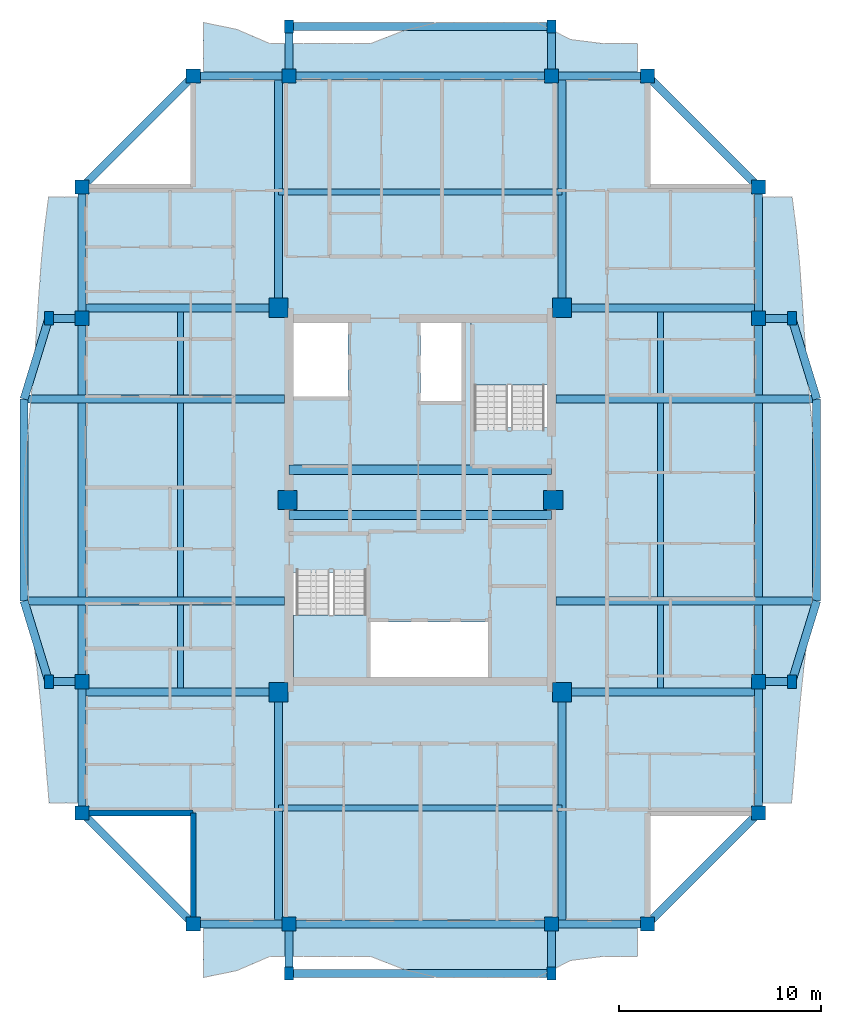
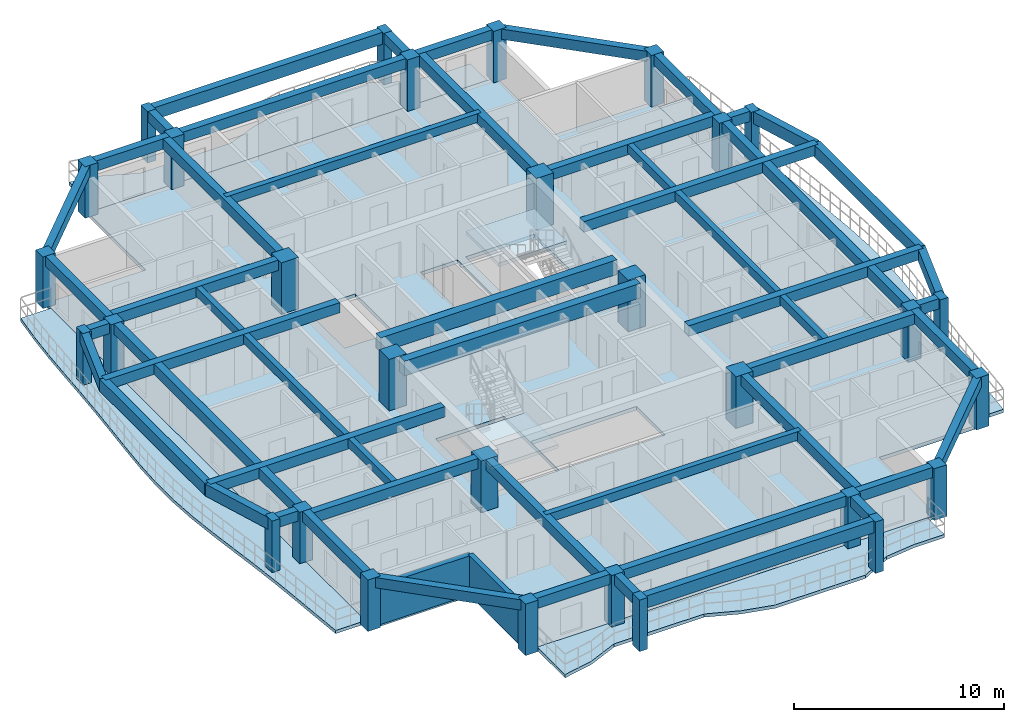
# One storey, part 1 of 14: 50 beams, 30 columns, 7 slabs, 2 walls, 2 elements without a shape of their own.
"""IFC4 building model written with IfcOpenShell, lengths in metres."""

from ifc_helpers import new_model, si_unit, direction, frame, frame_2d, origin, origin_2d, place, context, subcontext, project, spatial, polyline, rectangle, outline, extrude, source, transform, mapped, material, layer, layer_set, material_profile, profile_set, type_object, element, aggregate, save


model = new_model("IFC4")

# Units and contexts
model_context = context("Model", 3, precision=1e-05, world=origin(), true_north=direction((0.0, 1.0)))
body_context = subcontext(model_context, "Body", "Model", "MODEL_VIEW")
ifc_project = project(units=[si_unit("LENGTHUNIT", "METRE"), si_unit("AREAUNIT", "SQUARE_METRE"), si_unit("VOLUMEUNIT", "CUBIC_METRE"), si_unit("PLANEANGLEUNIT", "RADIAN"), si_unit("MASSUNIT", "GRAM", prefix="KILO")], contexts=[model_context])

# Site, building, storey
site_placement = place(None, origin())
site = spatial("IfcSite", under=ifc_project, at=site_placement, CompositionType="ELEMENT")
building_placement = place(site_placement, origin())
building = spatial("IfcBuilding", under=site, at=building_placement, Name="Saelheon Loggia Tower", CompositionType="ELEMENT")
storey_placement = place(building_placement, frame((0.0, 0.0, 230.10009765625)))
storey = spatial("IfcBuildingStorey", under=building, at=storey_placement, Name="L71", CompositionType="ELEMENT", Elevation=230.10009765625)

# Columns
ifc_material_1 = material(Name="Concrete C45/55", Category="concrete")
ifc_material_profile_1 = material_profile(ifc_material_1, rectangle(XDim=0.949951171875, YDim=0.949951171875, at=origin_2d()), Name="RC-950x950")
ifc_profile_set_1 = profile_set([ifc_material_profile_1], Name="Concrete C45/55")
column_type_1 = type_object("IfcColumnType", Name="Col_Core_RC950", PredefinedType="COLUMN", material=ifc_profile_set_1)
shared_shape_1 = source(origin(), body_context, "Body", "SweptSolid", [
    extrude(rectangle(XDim=0.949951171875, YDim=0.949951171875, at=origin_2d()), origin(), (0.0, 0.0, 1.0), 3.0),
])
for number, where, z_axis, x_axis, name in (
    (1, (30.97998046875, 17.47998046875, 0.0), (0.0, 0.0, 1.0), (1.0, 0.0, 0.0), "L71 Core Column CR-SW"),
    (2, (45.02001953125, 17.47998046875, 0.0), (0.0, 0.0, 1.0), (1.0, 0.0, 0.0), "L71 Core Column CR-SE"),
    (3, (30.97998046875, 36.52001953125, 0.0), (0.0, 0.0, 1.0), (1.0, 0.0, 0.0), "L71 Core Column CR-NW"),
    (4, (45.02001953125, 36.52001953125, 0.0), (0.0, 0.0, 1.0), (1.0, 0.0, 0.0), "L71 Core Column CR-NE"),
    (5, (31.419921875, 27.0, 0.0), (0.0, 0.0, 1.0), (1.0, 0.0, 0.0), "L71 Core Column CR-MW"),
    (6, (44.580078125, 27.0, 0.0), (0.0, 0.0, 1.0), (1.0, 0.0, 0.0), "L71 Core Column CR-ME"),
):
    element("IfcColumn", number, at=place(storey_placement, frame(where, z_axis=z_axis, x_axis=x_axis)), inside=storey, type_object=column_type_1, Name=name, PredefinedType="COLUMN", context=body_context, shape_type="MappedRepresentation", body=[
        mapped(shared_shape_1, transform((0.0, 0.0, 0.0), scale=1.0)),
    ])
ifc_material_2 = material(Name="Precast Concrete C45/55", Category="concrete")
ifc_material_profile_2 = material_profile(ifc_material_2, rectangle(XDim=0.449951171875, YDim=0.64990234375, at=origin_2d()), Name="RC-450x650")
ifc_profile_set_2 = profile_set([ifc_material_profile_2], Name="Precast Concrete C45/55")
column_type_2 = type_object("IfcColumnType", Name="Col_Loggia_Pilaster_650", PredefinedType="PILASTER", material=ifc_profile_set_2)
shared_shape_2 = source(origin(), body_context, "Body", "SweptSolid", [
    extrude(rectangle(XDim=0.449951171875, YDim=0.64990234375, at=origin_2d()), origin(), (0.0, 0.0, 1.0), 3.0),
])
for number, where, z_axis, x_axis, name in (
    (7, (31.5, 3.550048828125, 0.0), (0.0, 0.0, 1.0), (1.0, 0.0, 0.0), "L71 Loggia Frame Pilaster LP-S1"),
    (8, (44.5, 3.550048828125, 0.0), (0.0, 0.0, 1.0), (1.0, 0.0, 0.0), "L71 Loggia Frame Pilaster LP-S2"),
    (9, (31.5, 50.449951171875, 0.0), (0.0, 0.0, 1.0), (1.0, 0.0, 0.0), "L71 Loggia Frame Pilaster LP-N1"),
    (10, (44.5, 50.449951171875, 0.0), (0.0, 0.0, 1.0), (1.0, 0.0, 0.0), "L71 Loggia Frame Pilaster LP-N2"),
    (11, (56.39990234375, 18.0, 0.0), (0.0, 0.0, 1.0), (1.0, 0.0, 0.0), "L71 Loggia Frame Pilaster LP-E1"),
    (12, (56.39990234375, 36.0, 0.0), (0.0, 0.0, 1.0), (1.0, 0.0, 0.0), "L71 Loggia Frame Pilaster LP-E2"),
    (13, (19.60009765625, 18.0, 0.0), (0.0, 0.0, 1.0), (1.0, 0.0, 0.0), "L71 Loggia Frame Pilaster LP-W1"),
    (14, (19.60009765625, 36.0, 0.0), (0.0, 0.0, 1.0), (1.0, 0.0, 0.0), "L71 Loggia Frame Pilaster LP-W2"),
):
    element("IfcColumn", number, at=place(storey_placement, frame(where, z_axis=z_axis, x_axis=x_axis)), inside=storey, type_object=column_type_2, Name=name, PredefinedType="PILASTER", context=body_context, shape_type="MappedRepresentation", body=[
        mapped(shared_shape_2, transform((0.0, 0.0, 0.0), scale=1.0)),
    ])
ifc_material_profile_3 = material_profile(ifc_material_1, rectangle(XDim=0.699951171875, YDim=0.699951171875, at=origin_2d()), Name="RC-700x700")
ifc_profile_set_3 = profile_set([ifc_material_profile_3], Name="Concrete C45/55")
column_type_3 = type_object("IfcColumnType", Name="Col_Perim_RC700", PredefinedType="COLUMN", material=ifc_profile_set_3)
shared_shape_3 = source(origin(), body_context, "Body", "SweptSolid", [
    extrude(rectangle(XDim=0.699951171875, YDim=0.699951171875, at=origin_2d()), origin(), (0.0, 0.0, 1.0), 3.0),
])
for number, where, z_axis, x_axis, name in (
    (15, (26.75, 6.0, 0.0), (0.0, 0.0, 1.0), (1.0, 0.0, 0.0), "L71 Perimeter Column TP-S1"),
    (16, (31.5, 6.0, 0.0), (0.0, 0.0, 1.0), (1.0, 0.0, 0.0), "L71 Perimeter Column TP-SA"),
    (17, (44.5, 6.0, 0.0), (0.0, 0.0, 1.0), (1.0, 0.0, 0.0), "L71 Perimeter Column TP-SB"),
    (18, (49.25, 6.0, 0.0), (0.0, 0.0, 1.0), (1.0, 0.0, 0.0), "L71 Perimeter Column TP-S2"),
    (19, (54.75, 11.5, 0.0), (0.0, 0.0, 1.0), (1.0, 0.0, 0.0), "L71 Perimeter Column TP-E1"),
    (20, (54.75, 18.0, 0.0), (0.0, 0.0, 1.0), (1.0, 0.0, 0.0), "L71 Perimeter Column TP-EA"),
    (21, (54.75, 36.0, 0.0), (0.0, 0.0, 1.0), (1.0, 0.0, 0.0), "L71 Perimeter Column TP-EB"),
    (22, (54.75, 42.5, 0.0), (0.0, 0.0, 1.0), (1.0, 0.0, 0.0), "L71 Perimeter Column TP-E2"),
    (23, (49.25, 48.0, 0.0), (0.0, 0.0, 1.0), (1.0, 0.0, 0.0), "L71 Perimeter Column TP-N2"),
    (24, (44.5, 48.0, 0.0), (0.0, 0.0, 1.0), (1.0, 0.0, 0.0), "L71 Perimeter Column TP-NB"),
    (25, (31.5, 48.0, 0.0), (0.0, 0.0, 1.0), (1.0, 0.0, 0.0), "L71 Perimeter Column TP-NA"),
    (26, (26.75, 48.0, 0.0), (0.0, 0.0, 1.0), (1.0, 0.0, 0.0), "L71 Perimeter Column TP-N1"),
    (27, (21.25, 42.5, 0.0), (0.0, 0.0, 1.0), (1.0, 0.0, 0.0), "L71 Perimeter Column TP-W2"),
    (28, (21.25, 36.0, 0.0), (0.0, 0.0, 1.0), (1.0, 0.0, 0.0), "L71 Perimeter Column TP-WB"),
    (29, (21.25, 18.0, 0.0), (0.0, 0.0, 1.0), (1.0, 0.0, 0.0), "L71 Perimeter Column TP-WA"),
    (30, (21.25, 11.5, 0.0), (0.0, 0.0, 1.0), (1.0, 0.0, 0.0), "L71 Perimeter Column TP-W1"),
):
    element("IfcColumn", number, at=place(storey_placement, frame(where, z_axis=z_axis, x_axis=x_axis)), inside=storey, type_object=column_type_3, Name=name, PredefinedType="COLUMN", context=body_context, shape_type="MappedRepresentation", body=[
        mapped(shared_shape_3, transform((0.0, 0.0, 0.0), scale=1.0)),
    ])

# Beams
ifc_material_3 = material(Name="Concrete C50/60", Category="concrete")
ifc_material_profile_4 = material_profile(ifc_material_3, rectangle(XDim=0.449951171875, YDim=0.85009765625, at=origin_2d()), Name="RC-450x850")
ifc_profile_set_4 = profile_set([ifc_material_profile_4], Name="Concrete C50/60")
beam_type_1 = type_object("IfcBeamType", Name="Beam_CoreLintel_RC450x850", PredefinedType="LINTEL", material=ifc_profile_set_4)
shared_shape_4 = source(origin(), body_context, "Body", "SweptSolid", [
    extrude(rectangle(XDim=0.449951171875, YDim=0.85009765625, at=origin_2d()), origin(), (0.0, 0.0, 1.0), 13.0),
])
for number, where, z_axis, x_axis, name in (
    (31, (31.5, 26.25, 2.574951171875), (1.0, 0.0, 0.0), (0.0, 1.0, 0.0), "L71 Core Coupling Lintel 1"),
    (32, (31.5, 28.5, 2.574951171875), (1.0, 0.0, 0.0), (0.0, 1.0, 0.0), "L71 Core Coupling Lintel 2"),
):
    element("IfcBeam", number, at=place(storey_placement, frame(where, z_axis=z_axis, x_axis=x_axis)), inside=storey, type_object=beam_type_1, Name=name, PredefinedType="LINTEL", context=body_context, shape_type="MappedRepresentation", body=[
        mapped(shared_shape_4, transform((0.0, 0.0, 0.0), scale=1.0)),
    ])
ifc_material_profile_5 = material_profile(ifc_material_2, rectangle(XDim=0.39990234375, YDim=0.60009765625, at=origin_2d()), Name="RC-400x600")
ifc_profile_set_5 = profile_set([ifc_material_profile_5], Name="Precast Concrete C45/55")
beam_type_2 = type_object("IfcBeamType", Name="Beam_LoggiaTie_RC400x600", PredefinedType="BEAM", material=ifc_profile_set_5)
shared_shape_5 = source(origin(), body_context, "Body", "SweptSolid", [
    extrude(rectangle(XDim=0.39990234375, YDim=0.60009765625, at=origin_2d()), origin(), (0.0, 0.0, 1.0), 2.449951171875),
])
for number, where, z_axis, x_axis, name in (
    (33, (31.5, 6.0, 2.699951171875), (0.0, -1.0, 0.0), (1.0, 0.0, 0.0), "L71 Loggia Frame Tie Beam LP-S1"),
    (34, (44.5, 6.0, 2.699951171875), (0.0, -1.0, 0.0), (1.0, 0.0, 0.0), "L71 Loggia Frame Tie Beam LP-S2"),
    (35, (31.5, 48.0, 2.699951171875), (0.0, 1.0, 0.0), (-1.0, 0.0, 0.0), "L71 Loggia Frame Tie Beam LP-N1"),
    (36, (44.5, 48.0, 2.699951171875), (0.0, 1.0, 0.0), (-1.0, 0.0, 0.0), "L71 Loggia Frame Tie Beam LP-N2"),
):
    element("IfcBeam", number, at=place(storey_placement, frame(where, z_axis=z_axis, x_axis=x_axis)), inside=storey, type_object=beam_type_2, Name=name, PredefinedType="BEAM", context=body_context, shape_type="MappedRepresentation", body=[
        mapped(shared_shape_5, transform((0.0, 0.0, 0.0), scale=1.0)),
    ])
ifc_material_4 = material(Name="Concrete C40/50", Category="concrete")
ifc_material_profile_6 = material_profile(ifc_material_4, rectangle(XDim=0.300048828125, YDim=0.5, at=origin_2d()), Name="RC-300x500")
ifc_profile_set_6 = profile_set([ifc_material_profile_6], Name="Concrete C40/50")
beam_type_3 = type_object("IfcBeamType", Name="Beam_Joist_RC300x500", PredefinedType="JOIST", material=ifc_profile_set_6)
shared_shape_6 = source(origin(), body_context, "Body", "SweptSolid", [
    extrude(rectangle(XDim=0.300048828125, YDim=0.5, at=origin_2d()), origin(), (0.0, 0.0, 1.0), 14.0400390625),
])
for number, where, z_axis, x_axis, name in (
    (37, (30.97998046875, 11.739990234375, 2.75), (1.0, 0.0, 0.0), (0.0, 1.0, 0.0), "L71 South Floor Joist"),
    (38, (30.97998046875, 42.260009765625, 2.75), (1.0, 0.0, 0.0), (0.0, 1.0, 0.0), "L71 North Floor Joist"),
):
    element("IfcBeam", number, at=place(storey_placement, frame(where, z_axis=z_axis, x_axis=x_axis)), inside=storey, type_object=beam_type_3, Name=name, PredefinedType="JOIST", context=body_context, shape_type="MappedRepresentation", body=[
        mapped(shared_shape_6, transform((0.0, 0.0, 0.0), scale=1.0)),
    ])
shared_shape_7 = source(origin(), body_context, "Body", "SweptSolid", [
    extrude(rectangle(XDim=0.300048828125, YDim=0.5, at=origin_2d()), origin(), (0.0, 0.0, 1.0), 19.0400390625),
])
for number, where, z_axis, x_axis, name in (
    (39, (26.114990234375, 17.47998046875, 2.75), (0.0, 1.0, 0.0), (-1.0, 0.0, 0.0), "L71 West Floor Joist"),
    (40, (49.885009765625, 17.47998046875, 2.75), (0.0, 1.0, 0.0), (-1.0, 0.0, 0.0), "L71 East Floor Joist"),
):
    element("IfcBeam", number, at=place(storey_placement, frame(where, z_axis=z_axis, x_axis=x_axis)), inside=storey, type_object=beam_type_3, Name=name, PredefinedType="JOIST", context=body_context, shape_type="MappedRepresentation", body=[
        mapped(shared_shape_7, transform((0.0, 0.0, 0.0), scale=1.0)),
    ])
shared_shape_8 = source(origin(), body_context, "Body", "SweptSolid", [
    extrude(rectangle(XDim=0.39990234375, YDim=0.60009765625, at=origin_2d()), origin(), (0.0, 0.0, 1.0), 1.64990234375),
])
for number, where, z_axis, x_axis, name in (
    (41, (54.75, 18.0, 2.699951171875), (1.0, 0.0, 0.0), (0.0, 1.0, 0.0), "L71 Loggia Frame Tie Beam LP-E1"),
    (42, (54.75, 36.0, 2.699951171875), (1.0, 0.0, 0.0), (0.0, 1.0, 0.0), "L71 Loggia Frame Tie Beam LP-E2"),
    (43, (21.25, 18.0, 2.699951171875), (-1.0, 0.0, 0.0), (0.0, -1.0, 0.0), "L71 Loggia Frame Tie Beam LP-W1"),
    (44, (21.25, 36.0, 2.699951171875), (-1.0, 0.0, 0.0), (0.0, -1.0, 0.0), "L71 Loggia Frame Tie Beam LP-W2"),
):
    element("IfcBeam", number, at=place(storey_placement, frame(where, z_axis=z_axis, x_axis=x_axis)), inside=storey, type_object=beam_type_2, Name=name, PredefinedType="BEAM", context=body_context, shape_type="MappedRepresentation", body=[
        mapped(shared_shape_8, transform((0.0, 0.0, 0.0), scale=1.0)),
    ])
ifc_material_profile_7 = material_profile(ifc_material_2, rectangle(XDim=0.39990234375, YDim=0.699951171875, at=origin_2d()), Name="RC-400x700")
ifc_profile_set_7 = profile_set([ifc_material_profile_7], Name="Precast Concrete C45/55")
beam_type_4 = type_object("IfcBeamType", Name="Beam_LoggiaSpandrel_RC400x700", PredefinedType="SPANDREL", material=ifc_profile_set_7)
shared_shape_9 = source(origin(), body_context, "Body", "SweptSolid", [
    extrude(rectangle(XDim=0.39990234375, YDim=0.699951171875, at=origin_2d()), origin(), (0.0, 0.0, 1.0), 13.0),
])
for number, where, z_axis, x_axis, name in (
    (45, (31.5, 3.550048828125, 2.64990234375), (1.0, 0.0, 0.0), (0.0, 1.0, 0.0), "L71 Loggia Spandrel Beam S"),
    (46, (31.5, 50.449951171875, 2.64990234375), (1.0, 0.0, 0.0), (0.0, 1.0, 0.0), "L71 Loggia Spandrel Beam N"),
):
    element("IfcBeam", number, at=place(storey_placement, frame(where, z_axis=z_axis, x_axis=x_axis)), inside=storey, type_object=beam_type_4, Name=name, PredefinedType="SPANDREL", context=body_context, shape_type="MappedRepresentation", body=[
        mapped(shared_shape_9, transform((0.0, 0.0, 0.0), scale=1.0)),
    ])
shared_shape_10 = source(origin(), body_context, "Body", "SweptSolid", [
    extrude(rectangle(XDim=0.39990234375, YDim=0.699951171875, at=origin_2d()), origin(), (0.0, 0.0, 1.0), 4.184814453125),
])
for number, where, z_axis, x_axis, name in (
    (47, (56.39990234375, 18.0, 2.64990234375), (0.293913664135, 0.955831971653, 0.0), (-0.955831971653, 0.293913664135, 0.0), "L71 Curved Loggia Spandrel E 1"),
    (48, (57.6298828125, 32.0, 2.64990234375), (-0.293913664135, 0.955831971653, 0.0), (-0.955831971653, -0.293913664135, 0.0), "L71 Curved Loggia Spandrel E 3"),
    (49, (19.60009765625, 18.0, 2.64990234375), (-0.293913664135, 0.955831971653, 0.0), (-0.955831971653, -0.293913664135, 0.0), "L71 Curved Loggia Spandrel W 1"),
    (50, (18.3701171875, 32.0, 2.64990234375), (0.293913664135, 0.955831971653, 0.0), (-0.955831971653, 0.293913664135, 0.0), "L71 Curved Loggia Spandrel W 3"),
):
    element("IfcBeam", number, at=place(storey_placement, frame(where, z_axis=z_axis, x_axis=x_axis)), inside=storey, type_object=beam_type_4, Name=name, PredefinedType="SPANDREL", context=body_context, shape_type="MappedRepresentation", body=[
        mapped(shared_shape_10, transform((0.0, 0.0, 0.0), scale=1.0)),
    ])
shared_shape_11 = source(origin(), body_context, "Body", "SweptSolid", [
    extrude(rectangle(XDim=0.39990234375, YDim=0.699951171875, at=origin_2d()), origin(), (0.0, 0.0, 1.0), 10.0),
])
for number, where, z_axis, x_axis, name in (
    (51, (57.6298828125, 22.0, 2.64990234375), (0.0, 1.0, 0.0), (-1.0, 0.0, 0.0), "L71 Curved Loggia Spandrel E 2"),
    (52, (18.3701171875, 22.0, 2.64990234375), (0.0, 1.0, 0.0), (-1.0, 0.0, 0.0), "L71 Curved Loggia Spandrel W 2"),
):
    element("IfcBeam", number, at=place(storey_placement, frame(where, z_axis=z_axis, x_axis=x_axis)), inside=storey, type_object=beam_type_4, Name=name, PredefinedType="SPANDREL", context=body_context, shape_type="MappedRepresentation", body=[
        mapped(shared_shape_11, transform((0.0, 0.0, 0.0), scale=1.0)),
    ])
ifc_material_profile_8 = material_profile(ifc_material_4, rectangle(XDim=0.39990234375, YDim=0.60009765625, at=origin_2d()), Name="RC-400x600")
ifc_profile_set_8 = profile_set([ifc_material_profile_8], Name="Concrete C40/50")
beam_type_5 = type_object("IfcBeamType", Name="Beam_PerimUpper_RC400x600", PredefinedType="BEAM", material=ifc_profile_set_8)
shared_shape_12 = source(origin(), body_context, "Body", "SweptSolid", [
    extrude(rectangle(XDim=0.39990234375, YDim=0.60009765625, at=origin_2d()), origin(), (0.0, 0.0, 1.0), 13.0),
])
for number, where, z_axis, x_axis, name in (
    (53, (31.5, 6.0, 2.699951171875), (1.0, 0.0, 0.0), (0.0, 1.0, 0.0), "L71 Perimeter Frame Girder 02"),
    (54, (44.5, 48.0, 2.699951171875), (-1.0, 0.0, 0.0), (0.0, -1.0, 0.0), "L71 Perimeter Frame Girder 10"),
):
    element("IfcBeam", number, at=place(storey_placement, frame(where, z_axis=z_axis, x_axis=x_axis)), inside=storey, type_object=beam_type_5, Name=name, PredefinedType="BEAM", context=body_context, shape_type="MappedRepresentation", body=[
        mapped(shared_shape_12, transform((0.0, 0.0, 0.0), scale=1.0)),
    ])
shared_shape_13 = source(origin(), body_context, "Body", "SweptSolid", [
    extrude(rectangle(XDim=0.39990234375, YDim=0.60009765625, at=origin_2d()), origin(), (0.0, 0.0, 1.0), 18.0),
])
for number, where, z_axis, x_axis, name in (
    (55, (54.75, 18.0, 2.699951171875), (0.0, 1.0, 0.0), (-1.0, 0.0, 0.0), "L71 Perimeter Frame Girder 06"),
    (56, (21.25, 36.0, 2.699951171875), (0.0, -1.0, 0.0), (1.0, 0.0, 0.0), "L71 Perimeter Frame Girder 14"),
):
    element("IfcBeam", number, at=place(storey_placement, frame(where, z_axis=z_axis, x_axis=x_axis)), inside=storey, type_object=beam_type_5, Name=name, PredefinedType="BEAM", context=body_context, shape_type="MappedRepresentation", body=[
        mapped(shared_shape_13, transform((0.0, 0.0, 0.0), scale=1.0)),
    ])
ifc_material_profile_9 = material_profile(ifc_material_4, rectangle(XDim=0.39990234375, YDim=0.60009765625, at=origin_2d()), Name="RC-400x600")
ifc_profile_set_9 = profile_set([ifc_material_profile_9], Name="Concrete C40/50")
beam_type_6 = type_object("IfcBeamType", Name="Beam_UpperGirder_RC400x600", PredefinedType="BEAM", material=ifc_profile_set_9)
shared_shape_14 = source(origin(), body_context, "Body", "SweptSolid", [
    extrude(rectangle(XDim=0.39990234375, YDim=0.60009765625, at=origin_2d()), origin(), (0.0, 0.0, 1.0), 11.47998046875),
])
for number, where, z_axis, x_axis, name in (
    (57, (30.97998046875, 17.47998046875, 2.699951171875), (0.0, -1.0, 0.0), (1.0, 0.0, 0.0), "L71 Radial Floor Girder RAD-SW-S"),
    (58, (45.02001953125, 17.47998046875, 2.699951171875), (0.0, -1.0, 0.0), (1.0, 0.0, 0.0), "L71 Radial Floor Girder RAD-SE-S"),
    (59, (30.97998046875, 36.52001953125, 2.699951171875), (0.0, 1.0, 0.0), (-1.0, 0.0, 0.0), "L71 Radial Floor Girder RAD-NW-N"),
    (60, (45.02001953125, 36.52001953125, 2.699951171875), (0.0, 1.0, 0.0), (-1.0, 0.0, 0.0), "L71 Radial Floor Girder RAD-NE-N"),
):
    element("IfcBeam", number, at=place(storey_placement, frame(where, z_axis=z_axis, x_axis=x_axis)), inside=storey, type_object=beam_type_6, Name=name, PredefinedType="BEAM", context=body_context, shape_type="MappedRepresentation", body=[
        mapped(shared_shape_14, transform((0.0, 0.0, 0.0), scale=1.0)),
    ])
shared_shape_15 = source(origin(), body_context, "Body", "SweptSolid", [
    extrude(rectangle(XDim=0.39990234375, YDim=0.60009765625, at=origin_2d()), origin(), (0.0, 0.0, 1.0), 6.5),
])
for number, where, z_axis, x_axis, name in (
    (61, (54.75, 11.5, 2.699951171875), (0.0, 1.0, 0.0), (-1.0, 0.0, 0.0), "L71 Perimeter Frame Girder 05"),
    (62, (54.75, 36.0, 2.699951171875), (0.0, 1.0, 0.0), (-1.0, 0.0, 0.0), "L71 Perimeter Frame Girder 07"),
    (63, (21.25, 42.5, 2.699951171875), (0.0, -1.0, 0.0), (1.0, 0.0, 0.0), "L71 Perimeter Frame Girder 13"),
    (64, (21.25, 18.0, 2.699951171875), (0.0, -1.0, 0.0), (1.0, 0.0, 0.0), "L71 Perimeter Frame Girder 15"),
):
    element("IfcBeam", number, at=place(storey_placement, frame(where, z_axis=z_axis, x_axis=x_axis)), inside=storey, type_object=beam_type_5, Name=name, PredefinedType="BEAM", context=body_context, shape_type="MappedRepresentation", body=[
        mapped(shared_shape_15, transform((0.0, 0.0, 0.0), scale=1.0)),
    ])
shared_shape_16 = source(origin(), body_context, "Body", "SweptSolid", [
    extrude(rectangle(XDim=0.39990234375, YDim=0.60009765625, at=origin_2d()), origin(), (0.0, 0.0, 1.0), 7.778076171875),
])
for number, where, z_axis, x_axis, name in (
    (65, (49.25, 6.0, 2.699951171875), (0.707106781187, 0.707106781187, 0.0), (-0.707106781187, 0.707106781187, 0.0), "L71 Perimeter Frame Girder 04"),
    (66, (54.75, 42.5, 2.699951171875), (-0.707106781187, 0.707106781187, 0.0), (-0.707106781187, -0.707106781187, 0.0), "L71 Perimeter Frame Girder 08"),
    (67, (26.75, 48.0, 2.699951171875), (-0.707106781187, -0.707106781187, 0.0), (0.707106781187, -0.707106781187, 0.0), "L71 Perimeter Frame Girder 12"),
    (68, (21.25, 11.5, 2.699951171875), (0.707106781187, -0.707106781187, 0.0), (0.707106781187, 0.707106781187, 0.0), "L71 Perimeter Frame Girder 16"),
):
    element("IfcBeam", number, at=place(storey_placement, frame(where, z_axis=z_axis, x_axis=x_axis)), inside=storey, type_object=beam_type_5, Name=name, PredefinedType="BEAM", context=body_context, shape_type="MappedRepresentation", body=[
        mapped(shared_shape_16, transform((0.0, 0.0, 0.0), scale=1.0)),
    ])
shared_shape_17 = source(origin(), body_context, "Body", "SweptSolid", [
    extrude(rectangle(XDim=0.39990234375, YDim=0.60009765625, at=origin_2d()), origin(), (0.0, 0.0, 1.0), 4.75),
])
for number, where, z_axis, x_axis, name in (
    (69, (26.75, 6.0, 2.699951171875), (1.0, 0.0, 0.0), (0.0, 1.0, 0.0), "L71 Perimeter Frame Girder 01"),
    (70, (44.5, 6.0, 2.699951171875), (1.0, 0.0, 0.0), (0.0, 1.0, 0.0), "L71 Perimeter Frame Girder 03"),
    (71, (49.25, 48.0, 2.699951171875), (-1.0, 0.0, 0.0), (0.0, -1.0, 0.0), "L71 Perimeter Frame Girder 09"),
    (72, (31.5, 48.0, 2.699951171875), (-1.0, 0.0, 0.0), (0.0, -1.0, 0.0), "L71 Perimeter Frame Girder 11"),
):
    element("IfcBeam", number, at=place(storey_placement, frame(where, z_axis=z_axis, x_axis=x_axis)), inside=storey, type_object=beam_type_5, Name=name, PredefinedType="BEAM", context=body_context, shape_type="MappedRepresentation", body=[
        mapped(shared_shape_17, transform((0.0, 0.0, 0.0), scale=1.0)),
    ])
shared_shape_18 = source(origin(), body_context, "Body", "SweptSolid", [
    extrude(rectangle(XDim=0.39990234375, YDim=0.60009765625, at=origin_2d()), origin(), (0.0, 0.0, 1.0), 9.72998046875),
])
for number, where, z_axis, x_axis, name in (
    (73, (30.97998046875, 17.47998046875, 2.699951171875), (-1.0, 0.0, 0.0), (0.0, -1.0, 0.0), "L71 Radial Floor Girder RAD-SW-W"),
    (74, (30.97998046875, 36.52001953125, 2.699951171875), (-1.0, 0.0, 0.0), (0.0, -1.0, 0.0), "L71 Radial Floor Girder RAD-NW-W"),
    (75, (45.02001953125, 17.47998046875, 2.699951171875), (1.0, 0.0, 0.0), (0.0, 1.0, 0.0), "L71 Radial Floor Girder RAD-SE-E"),
    (76, (45.02001953125, 36.52001953125, 2.699951171875), (1.0, 0.0, 0.0), (0.0, 1.0, 0.0), "L71 Radial Floor Girder RAD-NE-E"),
):
    element("IfcBeam", number, at=place(storey_placement, frame(where, z_axis=z_axis, x_axis=x_axis)), inside=storey, type_object=beam_type_6, Name=name, PredefinedType="BEAM", context=body_context, shape_type="MappedRepresentation", body=[
        mapped(shared_shape_18, transform((0.0, 0.0, 0.0), scale=1.0)),
    ])
shared_shape_19 = source(origin(), body_context, "Body", "SweptSolid", [
    extrude(rectangle(XDim=0.39990234375, YDim=0.60009765625, at=origin_2d()), origin(), (0.0, 0.0, 1.0), 12.909912109375),
])
for number, where, z_axis, x_axis, name in (
    (77, (44.719970703125, 22.0, 2.699951171875), (1.0, 0.0, 0.0), (0.0, 1.0, 0.0), "L71 Curved Facade Outrigger Beam E 1"),
    (78, (44.719970703125, 32.0, 2.699951171875), (1.0, 0.0, 0.0), (0.0, 1.0, 0.0), "L71 Curved Facade Outrigger Beam E 2"),
    (79, (31.280029296875, 22.0, 2.699951171875), (-1.0, 0.0, 0.0), (0.0, -1.0, 0.0), "L71 Curved Facade Outrigger Beam W 1"),
    (80, (31.280029296875, 32.0, 2.699951171875), (-1.0, 0.0, 0.0), (0.0, -1.0, 0.0), "L71 Curved Facade Outrigger Beam W 2"),
):
    element("IfcBeam", number, at=place(storey_placement, frame(where, z_axis=z_axis, x_axis=x_axis)), inside=storey, type_object=beam_type_2, Name=name, PredefinedType="BEAM", context=body_context, shape_type="MappedRepresentation", body=[
        mapped(shared_shape_19, transform((0.0, 0.0, 0.0), scale=1.0)),
    ])

# Slabs
ifc_layer_1 = layer(ifc_material_2, 0.18994140625)
ifc_layer_set_1 = layer_set([ifc_layer_1], Name="Precast Concrete C45/55")
slab_type_1 = type_object("IfcSlabType", Name="Slab_Loggia_Ext_190", PredefinedType="FLOOR", material=ifc_layer_set_1)
slab_1_placement = place(storey_placement, frame((0.0, 0.0, -0.190185546875)))
element("IfcSlab", 81, at=slab_1_placement, inside=storey, type_object=slab_type_1, Name="L71 Loggia Balcony Slab S", PredefinedType="FLOOR", context=body_context, shape_type="SweptSolid", body=[
    extrude(outline(polyline([(27.25, 3.35009765625), (28.90380859375, 3.689453125), (30.5576171875, 4.39990234375), (32.21142578125, 4.39990234375), (33.865478515625, 4.39990234375), (35.519287109375, 4.39990234375), (37.173095703125, 3.756103515625), (38.826904296875, 3.35009765625), (40.480712890625, 3.35009765625), (42.134521484375, 3.35009765625), (43.78857421875, 3.35009765625), (45.4423828125, 4.1953125), (47.09619140625, 4.39990234375), (48.75, 4.39990234375), (48.75, 6.0), (27.25, 6.0), (27.25, 3.35009765625)])), origin(), (0.0, 0.0, 1.0), 0.190185546875),
])
slab_2_placement = place(storey_placement, frame((0.0, 0.0, -0.190185546875)))
element("IfcSlab", 82, at=slab_2_placement, inside=storey, type_object=slab_type_1, Name="L71 Loggia Balcony Slab N", PredefinedType="FLOOR", context=body_context, shape_type="SweptSolid", body=[
    extrude(outline(polyline([(27.25, 48.0), (48.75, 48.0), (48.75, 49.60009765625), (47.09619140625, 49.60009765625), (45.4423828125, 49.8046875), (43.78857421875, 50.64990234375), (42.134521484375, 50.64990234375), (40.480712890625, 50.64990234375), (38.826904296875, 50.64990234375), (37.173095703125, 50.243896484375), (35.519287109375, 49.60009765625), (33.865478515625, 49.60009765625), (32.21142578125, 49.60009765625), (30.5576171875, 49.60009765625), (28.90380859375, 50.310546875), (27.25, 50.64990234375), (27.25, 48.0)])), origin(), (0.0, 0.0, 1.0), 0.190185546875),
])
slab_3_placement = place(storey_placement, frame((0.0, 0.0, -0.190185546875)))
element("IfcSlab", 83, at=slab_3_placement, inside=storey, type_object=slab_type_1, Name="L71 Loggia Balcony Slab E", PredefinedType="FLOOR", context=body_context, shape_type="SweptSolid", body=[
    extrude(outline(polyline([(54.75, 12.0), (56.385009765625, 12.0), (56.53076171875, 13.666748046875), (56.6640625, 15.333251953125), (56.81201171875, 17.0), (56.989990234375, 18.666748046875), (57.192626953125, 20.333251953125), (57.39453125, 22.0), (57.558349609375, 23.666748046875), (57.64990234375, 25.333251953125), (57.652587890625, 27.0), (57.57275390625, 28.666748046875), (57.4375, 30.333251953125), (57.282470703125, 32.0), (57.137939453125, 33.666748046875), (57.016357421875, 35.333251953125), (56.908203125, 37.0), (56.7880859375, 38.666748046875), (56.62890625, 40.333251953125), (56.41455078125, 42.0), (54.75, 42.0), (54.75, 12.0)])), origin(), (0.0, 0.0, 1.0), 0.190185546875),
])
slab_4_placement = place(storey_placement, frame((0.0, 0.0, -0.190185546875)))
element("IfcSlab", 84, at=slab_4_placement, inside=storey, type_object=slab_type_1, Name="L71 Loggia Balcony Slab W", PredefinedType="FLOOR", context=body_context, shape_type="SweptSolid", body=[
    extrude(outline(polyline([(21.25, 12.0), (21.25, 42.0), (19.58544921875, 42.0), (19.37109375, 40.333251953125), (19.2119140625, 38.666748046875), (19.091796875, 37.0), (18.983642578125, 35.333251953125), (18.862060546875, 33.666748046875), (18.717529296875, 32.0), (18.5625, 30.333251953125), (18.42724609375, 28.666748046875), (18.347412109375, 27.0), (18.35009765625, 25.333251953125), (18.441650390625, 23.666748046875), (18.60546875, 22.0), (18.807373046875, 20.333251953125), (19.010009765625, 18.666748046875), (19.18798828125, 17.0), (19.3359375, 15.333251953125), (19.46923828125, 13.666748046875), (19.614990234375, 12.0), (21.25, 12.0)])), origin(), (0.0, 0.0, 1.0), 0.190185546875),
])

# Stair, slab
stair_type = type_object("IfcStairType", Name="Stair_Escape_Core", PredefinedType="HALF_TURN_STAIR", material=ifc_material_4)
stair_1_placement = place(storey_placement, origin())
stair_1 = element("IfcStair", 85, at=stair_1_placement, inside=storey, type_object=stair_type, Name="L71 Special Escape Stair ST1", PredefinedType="HALF_TURN_STAIR")
ifc_layer_2 = layer(ifc_material_4, 0.199951171875)
ifc_layer_set_2 = layer_set([ifc_layer_2], Name="Concrete C40/50")
slab_type_2 = type_object("IfcSlabType", Name="Slab_StairLanding_ST1", PredefinedType="LANDING", material=ifc_layer_set_2)
slab_5_placement = place(storey_placement, frame((0.0, 0.0, 1.2998046875)))
slab_5 = element("IfcSlab", 86, at=slab_5_placement, type_object=slab_type_2, Name="ST1 landing 1", PredefinedType="LANDING", context=body_context, shape_type="SweptSolid", body=[
    extrude(outline(polyline([(31.7099609375, 21.31005859375), (31.7099609375, 18.2099609375), (35.469970703125, 18.2099609375), (35.469970703125, 21.31005859375), (31.7099609375, 21.31005859375)])), origin(), (0.0, 0.0, 1.0), 0.2001953125),
])
aggregate(stair_1, [slab_5])

stair_2_placement = place(storey_placement, origin())
stair_2 = element("IfcStair", 87, at=stair_2_placement, inside=storey, type_object=stair_type, Name="L71 Special Escape Stair ST2", PredefinedType="HALF_TURN_STAIR")
ifc_layer_3 = layer(ifc_material_4, 0.199951171875)
ifc_layer_set_3 = layer_set([ifc_layer_3], Name="Concrete C40/50")
slab_type_3 = type_object("IfcSlabType", Name="Slab_StairLanding_ST2", PredefinedType="LANDING", material=ifc_layer_set_3)
slab_6_placement = place(storey_placement, frame((0.0, 0.0, 1.2998046875)))
slab_6 = element("IfcSlab", 88, at=slab_6_placement, type_object=slab_type_3, Name="ST2 landing 1", PredefinedType="LANDING", context=body_context, shape_type="SweptSolid", body=[
    extrude(outline(polyline([(44.2900390625, 32.68994140625), (44.2900390625, 35.7900390625), (40.530029296875, 35.7900390625), (40.530029296875, 32.68994140625), (44.2900390625, 32.68994140625)])), origin(), (0.0, 0.0, 1.0), 0.2001953125),
])
aggregate(stair_2, [slab_6])

# Slab
ifc_layer_4 = layer(ifc_material_4, 0.2099609375)
ifc_layer_set_4 = layer_set([ifc_layer_4], Name="Concrete C40/50")
slab_type_4 = type_object("IfcSlabType", Name="Slab_Tower_210", PredefinedType="FLOOR", material=ifc_layer_set_4)
slab_7_placement = place(storey_placement, frame((0.0, 0.0, -0.210205078125)))
element("IfcSlab", 89, at=slab_7_placement, inside=storey, type_object=slab_type_4, Name="L71 Tower Floor Slab", PredefinedType="FLOOR", context=body_context, shape_type="SweptSolid", body=[
    extrude(outline(polyline([(26.75, 6.0), (49.25, 6.0), (49.25, 11.5), (54.75, 11.5), (54.75, 42.5), (49.25, 42.5), (49.25, 48.0), (26.75, 48.0), (26.75, 42.5), (21.25, 42.5), (21.25, 11.5), (26.75, 11.5), (26.75, 6.0)]), holes=[polyline([(31.699951171875, 23.409912109375), (31.699951171875, 18.199951171875), (35.47998046875, 18.199951171875), (35.47998046875, 23.409912109375), (31.699951171875, 23.409912109375)]), polyline([(44.300048828125, 30.590087890625), (44.300048828125, 35.800048828125), (40.52001953125, 35.800048828125), (40.52001953125, 30.590087890625), (44.300048828125, 30.590087890625)]), polyline([(35.530029296875, 18.22509765625), (41.35009765625, 18.22509765625), (41.35009765625, 20.9599609375), (35.530029296875, 20.9599609375), (35.530029296875, 18.22509765625)]), polyline([(31.72509765625, 32.1201171875), (34.419921875, 32.1201171875), (34.419921875, 35.77490234375), (31.72509765625, 35.77490234375), (31.72509765625, 32.1201171875)]), polyline([(38.0, 31.89990234375), (40.050048828125, 31.89990234375), (40.050048828125, 35.77490234375), (38.0, 35.77490234375), (38.0, 31.89990234375)])]), origin(), (0.0, 0.0, 1.0), 0.210205078125),
])

# Walls
ifc_material_5 = material(Name="Architectural Precast Concrete C40/50", Category="concrete")
ifc_layer_5 = layer(ifc_material_5, 0.280029296875)
ifc_layer_set_5 = layer_set([ifc_layer_5], Name="Architectural Precast Concrete C40/50")
wall_type = type_object("IfcWallType", Name="Wall_Ext_Loggia_280", PredefinedType="SOLIDWALL", material=ifc_layer_set_5)
for number, where, z_axis, x_axis, name in (
    (90, (26.75, 6.080078125, 0.0), (0.0, 0.0, 1.0), (0.0, 1.0, 0.0), "L71 Corner Notch Precast Wall SW1"),
    (91, (21.330078125, 11.5, 0.0), (0.0, 0.0, 1.0), (1.0, 0.0, 0.0), "L71 Corner Notch Precast Wall SW2"),
):
    element("IfcWall", number, at=place(storey_placement, frame(where, z_axis=z_axis, x_axis=x_axis)), inside=storey, type_object=wall_type, Name=name, PredefinedType="SOLIDWALL", context=body_context, shape_type="SweptSolid", body=[
        extrude(rectangle(XDim=5.419921875, YDim=0.280029296875, at=frame_2d((2.7099609375, 0.0))), origin(), (0.0, 0.0, 1.0), 2.27978515625),
    ])

save(model, "model.ifc")
